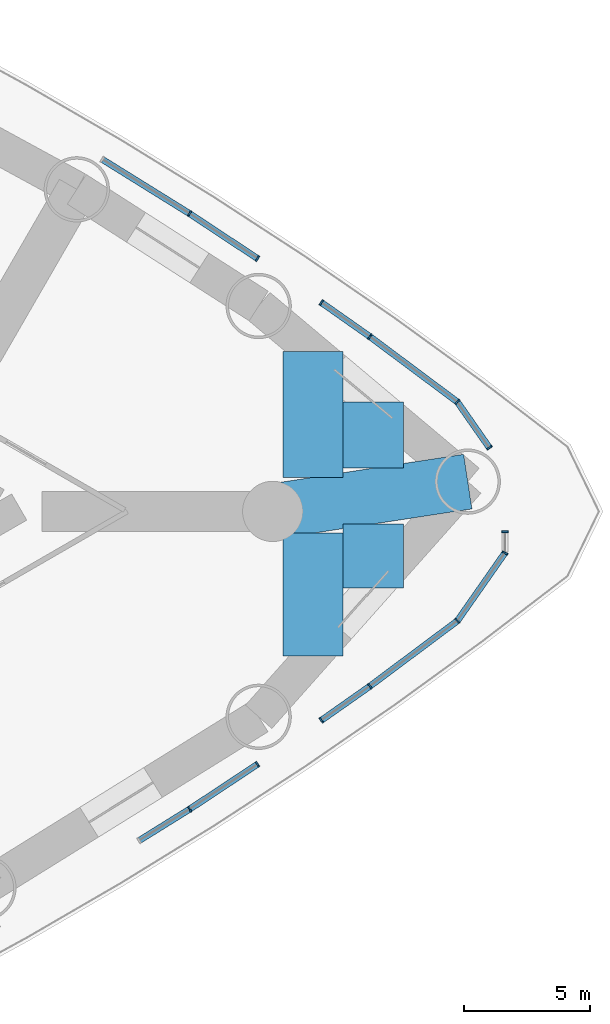
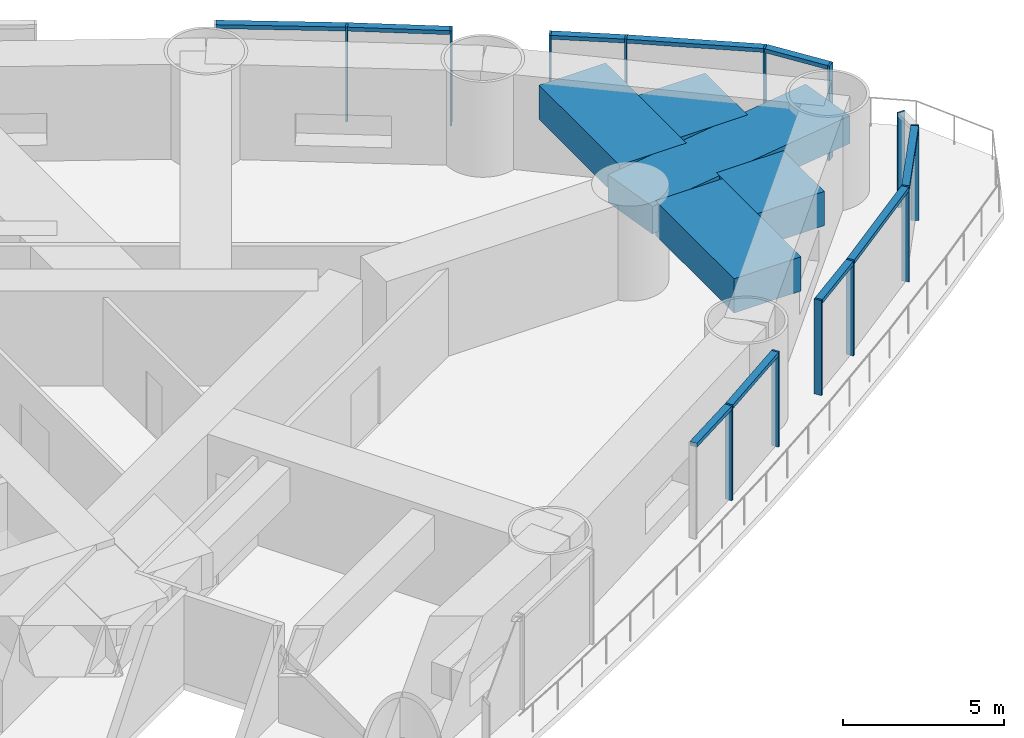
# One storey, part 7 of 19: 23 members, 5 beams, 4 elements without a shape of their own.
"""IFC4 building model written with IfcOpenShell, lengths in metres."""

from ifc_helpers import new_model, si_unit, direction, frame, origin, origin_2d, place, context, subcontext, project, spatial, rectangle, extrude, material, material_profile, profile_set, type_object, element, aggregate, save


model = new_model("IFC4")

# Units and contexts
model_context = context("Model", 3, precision=1e-05, world=origin(), true_north=direction((0.0, 1.0)))
body_context = subcontext(model_context, "Body", "Model", "MODEL_VIEW")
ifc_project = project(units=[si_unit("LENGTHUNIT", "METRE"), si_unit("AREAUNIT", "SQUARE_METRE"), si_unit("VOLUMEUNIT", "CUBIC_METRE"), si_unit("PLANEANGLEUNIT", "RADIAN"), si_unit("MASSUNIT", "GRAM", prefix="KILO")], contexts=[model_context])

# Site, building, storey
site_placement = place(None, origin())
site = spatial("IfcSite", under=ifc_project, at=site_placement, CompositionType="ELEMENT")
building_placement = place(site_placement, origin())
building = spatial("IfcBuilding", under=site, at=building_placement, Name="Lancet Gate Hotel", CompositionType="ELEMENT")
storey_placement = place(building_placement, frame((0.0, 0.0, 87.0)))
storey = spatial("IfcBuildingStorey", under=building, at=storey_placement, Name="L22", CompositionType="ELEMENT", Elevation=87.0)

# Curtain wall, members
ifc_material_1 = material(Name="Aluminium curtain wall", Category="aluminium")
curtain_wall_type = type_object("IfcCurtainWallType", Name="Tower unitised curtain wall", PredefinedType="USERDEFINED", material=ifc_material_1)
curtain_wall_1_placement = place(storey_placement, origin())
curtain_wall_1 = element("IfcCurtainWall", 1, at=curtain_wall_1_placement, inside=storey, type_object=curtain_wall_type, Name="T2 L22 curtain wall 4", ObjectType="UNITISED CURTAIN WALL", PredefinedType="USERDEFINED")
ifc_material_2 = material(Name="Aluminium mullion", Category="aluminium")
ifc_material_profile_1 = material_profile(ifc_material_2, rectangle(XDim=0.06494140625, YDim=0.25, at=origin_2d()), Name="MULLION 65x250")
ifc_profile_set_1 = profile_set([ifc_material_profile_1], Name="Aluminium mullion")
member_type_1 = type_object("IfcMemberType", Name="Aluminium mullion 65x250", PredefinedType="MULLION", material=ifc_profile_set_1)
member_1_placement = place(storey_placement, frame((58.188720703125, -11.8603515625, 0.0), z_axis=(0.0, 0.0, 1.0), x_axis=(0.84054022103, 0.541749145667, 0.0)))
member_1 = element("IfcMember", 2, at=member_1_placement, type_object=member_type_1, Name="T2 L22 curtain wall 4 mullion 2", PredefinedType="MULLION", context=body_context, shape_type="SweptSolid", body=[
    extrude(rectangle(XDim=0.06494140625, YDim=0.25, at=origin_2d()), origin(), (0.0, 0.0, 1.0), 3.60009765625),
])
member_2_placement = place(storey_placement, frame((60.89306640625, -10.071044921875, 0.0), z_axis=(0.0, 0.0, 1.0), x_axis=(0.83398495346, 0.551787184885, 0.0)))
member_2 = element("IfcMember", 3, at=member_2_placement, type_object=member_type_1, Name="T2 L22 curtain wall 4 mullion 3", PredefinedType="MULLION", context=body_context, shape_type="SweptSolid", body=[
    extrude(rectangle(XDim=0.06494140625, YDim=0.25, at=origin_2d()), origin(), (0.0, 0.0, 1.0), 3.60009765625),
])

curtain_wall_2_placement = place(storey_placement, origin())
curtain_wall_2 = element("IfcCurtainWall", 4, at=curtain_wall_2_placement, inside=storey, type_object=curtain_wall_type, Name="T2 L22 curtain wall 5", ObjectType="UNITISED CURTAIN WALL", PredefinedType="USERDEFINED")
member_3_placement = place(storey_placement, frame((63.43896484375, -8.319091796875, 0.0), z_axis=(0.0, 0.0, 1.0), x_axis=(0.817979492167, 0.57524738191, 0.0)))
member_3 = element("IfcMember", 5, at=member_3_placement, type_object=member_type_1, Name="T2 L22 curtain wall 5 mullion 1", PredefinedType="MULLION", context=body_context, shape_type="SweptSolid", body=[
    extrude(rectangle(XDim=0.06494140625, YDim=0.25, at=origin_2d()), origin(), (0.0, 0.0, 1.0), 3.60009765625),
])
member_4_placement = place(storey_placement, frame((65.370361328125, -6.9609375, 0.0), z_axis=(0.0, 0.0, 1.0), x_axis=(0.807254152431, 0.590203976082, 0.0)))
member_4 = element("IfcMember", 6, at=member_4_placement, type_object=member_type_1, Name="T2 L22 curtain wall 5 mullion 2", PredefinedType="MULLION", context=body_context, shape_type="SweptSolid", body=[
    extrude(rectangle(XDim=0.06494140625, YDim=0.25, at=origin_2d()), origin(), (0.0, 0.0, 1.0), 3.60009765625),
])
member_5_placement = place(storey_placement, frame((68.853759765625, -4.360107421875, 0.0), z_axis=(0.0, 0.0, 1.0), x_axis=(0.711610374907, 0.702574319432, 0.0)))
member_5 = element("IfcMember", 7, at=member_5_placement, type_object=member_type_1, Name="T2 L22 curtain wall 5 mullion 3", PredefinedType="MULLION", context=body_context, shape_type="SweptSolid", body=[
    extrude(rectangle(XDim=0.06494140625, YDim=0.25, at=origin_2d()), origin(), (0.0, 0.0, 1.0), 3.60009765625),
])
member_6_placement = place(storey_placement, frame((70.747314453125, -1.652099609375, 0.0), z_axis=(0.0, 0.0, 1.0), x_axis=(0.470309506881, 0.882501539793, 0.0)))
member_6 = element("IfcMember", 8, at=member_6_placement, type_object=member_type_1, Name="T2 L22 curtain wall 5 mullion 4", PredefinedType="MULLION", context=body_context, shape_type="SweptSolid", body=[
    extrude(rectangle(XDim=0.06494140625, YDim=0.25, at=origin_2d()), origin(), (0.0, 0.0, 1.0), 3.60009765625),
])
member_7_placement = place(storey_placement, frame((70.747314453125, -0.80712890625, 0.0), z_axis=(0.0, 0.0, 1.0), x_axis=(0.0, 1.0, 0.0)))
member_7 = element("IfcMember", 9, at=member_7_placement, type_object=member_type_1, Name="T2 L22 curtain wall 5 mullion 5", PredefinedType="MULLION", context=body_context, shape_type="SweptSolid", body=[
    extrude(rectangle(XDim=0.06494140625, YDim=0.25, at=origin_2d()), origin(), (0.0, 0.0, 1.0), 3.60009765625),
])

curtain_wall_3_placement = place(storey_placement, origin())
curtain_wall_3 = element("IfcCurtainWall", 10, at=curtain_wall_3_placement, inside=storey, type_object=curtain_wall_type, Name="T2 L22 curtain wall 6", ObjectType="UNITISED CURTAIN WALL", PredefinedType="USERDEFINED")
member_8_placement = place(storey_placement, frame((70.13037109375, 2.534423828125, 0.0), z_axis=(0.0, 0.0, 1.0), x_axis=(-0.573025075425, 0.819537834962, 0.0)))
member_8 = element("IfcMember", 11, at=member_8_placement, type_object=member_type_1, Name="T2 L22 curtain wall 6 mullion 1", PredefinedType="MULLION", context=body_context, shape_type="SweptSolid", body=[
    extrude(rectangle(XDim=0.06494140625, YDim=0.25, at=origin_2d()), origin(), (0.0, 0.0, 1.0), 3.60009765625),
])
member_9_placement = place(storey_placement, frame((68.853759765625, 4.360107421875, 0.0), z_axis=(0.0, 0.0, 1.0), x_axis=(-0.732307513853, 0.680974085523, 0.0)))
member_9 = element("IfcMember", 12, at=member_9_placement, type_object=member_type_1, Name="T2 L22 curtain wall 6 mullion 2", PredefinedType="MULLION", context=body_context, shape_type="SweptSolid", body=[
    extrude(rectangle(XDim=0.06494140625, YDim=0.25, at=origin_2d()), origin(), (0.0, 0.0, 1.0), 3.60009765625),
])
member_10_placement = place(storey_placement, frame((65.370361328125, 6.9609375, 0.0), z_axis=(0.0, 0.0, 1.0), x_axis=(-0.807254152431, 0.590203976082, 0.0)))
member_10 = element("IfcMember", 13, at=member_10_placement, type_object=member_type_1, Name="T2 L22 curtain wall 6 mullion 3", PredefinedType="MULLION", context=body_context, shape_type="SweptSolid", body=[
    extrude(rectangle(XDim=0.06494140625, YDim=0.25, at=origin_2d()), origin(), (0.0, 0.0, 1.0), 3.60009765625),
])
member_11_placement = place(storey_placement, frame((63.43896484375, 8.319091796875, 0.0), z_axis=(0.0, 0.0, 1.0), x_axis=(-0.817979492167, 0.57524738191, 0.0)))
member_11 = element("IfcMember", 14, at=member_11_placement, type_object=member_type_1, Name="T2 L22 curtain wall 6 mullion 4", PredefinedType="MULLION", context=body_context, shape_type="SweptSolid", body=[
    extrude(rectangle(XDim=0.06494140625, YDim=0.25, at=origin_2d()), origin(), (0.0, 0.0, 1.0), 3.60009765625),
])

curtain_wall_4_placement = place(storey_placement, origin())
curtain_wall_4 = element("IfcCurtainWall", 15, at=curtain_wall_4_placement, inside=storey, type_object=curtain_wall_type, Name="T2 L22 curtain wall 7", ObjectType="UNITISED CURTAIN WALL", PredefinedType="USERDEFINED")
member_12_placement = place(storey_placement, frame((60.89306640625, 10.071044921875, 0.0), z_axis=(0.0, 0.0, 1.0), x_axis=(-0.83398495346, 0.551787184885, 0.0)))
member_12 = element("IfcMember", 16, at=member_12_placement, type_object=member_type_1, Name="T2 L22 curtain wall 7 mullion 1", PredefinedType="MULLION", context=body_context, shape_type="SweptSolid", body=[
    extrude(rectangle(XDim=0.06494140625, YDim=0.25, at=origin_2d()), origin(), (0.0, 0.0, 1.0), 3.60009765625),
])
member_13_placement = place(storey_placement, frame((58.188720703125, 11.8603515625, 0.0), z_axis=(0.0, 0.0, 1.0), x_axis=(-0.842623043207, 0.538503859834, 0.0)))
member_13 = element("IfcMember", 17, at=member_13_placement, type_object=member_type_1, Name="T2 L22 curtain wall 7 mullion 2", PredefinedType="MULLION", context=body_context, shape_type="SweptSolid", body=[
    extrude(rectangle(XDim=0.06494140625, YDim=0.25, at=origin_2d()), origin(), (0.0, 0.0, 1.0), 3.60009765625),
])

# Member
ifc_material_3 = material(Name="Aluminium transom", Category="aluminium")
ifc_material_profile_2 = material_profile(ifc_material_3, rectangle(XDim=0.25, YDim=0.14990234375, at=origin_2d()), Name="TRANSOM 250x150")
ifc_profile_set_2 = profile_set([ifc_material_profile_2], Name="Aluminium transom")
member_type_2 = type_object("IfcMemberType", Name="Aluminium transom 250x150", PredefinedType="USERDEFINED", material=ifc_profile_set_2)
member_14_placement = place(storey_placement, frame((56.204345703125, -13.09375, 3.52490234375), z_axis=(0.849299449763, 0.527911398468, 0.0), x_axis=(-0.527911398468, 0.849299449763, 0.0)))
member_14 = element("IfcMember", 18, at=member_14_placement, type_object=member_type_2, Name="T2 L22 curtain wall 4 transom 1", ObjectType="TRANSOM", PredefinedType="USERDEFINED", context=body_context, shape_type="SweptSolid", body=[
    extrude(rectangle(XDim=0.25, YDim=0.14990234375, at=origin_2d()), origin(), (0.0, 0.0, 1.0), 2.303955078125),
])

member_15_placement = place(storey_placement, frame((58.2158203125, -11.842529296875, 3.52490234375), z_axis=(0.833983679794, 0.551789109929, 0.0), x_axis=(-0.551789109929, 0.833983679794, 0.0)))
member_15 = element("IfcMember", 19, at=member_15_placement, type_object=member_type_2, Name="T2 L22 curtain wall 4 transom 2", ObjectType="TRANSOM", PredefinedType="USERDEFINED", context=body_context, shape_type="SweptSolid", body=[
    extrude(rectangle(XDim=0.25, YDim=0.14990234375, at=origin_2d()), origin(), (0.0, 0.0, 1.0), 3.177734375),
])

aggregate(curtain_wall_1, [member_1, member_2, member_14, member_15])

member_16_placement = place(storey_placement, frame((63.465576171875, -8.30029296875, 3.52490234375), z_axis=(0.817986162576, 0.575237896729, 0.0), x_axis=(-0.575237896729, 0.817986162576, 0.0)))
member_16 = element("IfcMember", 20, at=member_16_placement, type_object=member_type_2, Name="T2 L22 curtain wall 5 transom 1", ObjectType="TRANSOM", PredefinedType="USERDEFINED", context=body_context, shape_type="SweptSolid", body=[
    extrude(rectangle(XDim=0.25, YDim=0.14990234375, at=origin_2d()), origin(), (0.0, 0.0, 1.0), 2.296142578125),
])

member_17_placement = place(storey_placement, frame((65.396240234375, -6.94140625, 3.52490234375), z_axis=(0.801311559064, 0.598247261014, 0.0), x_axis=(-0.598247261014, 0.801311559064, 0.0)))
member_17 = element("IfcMember", 21, at=member_17_placement, type_object=member_type_2, Name="T2 L22 curtain wall 5 transom 2", ObjectType="TRANSOM", PredefinedType="USERDEFINED", context=body_context, shape_type="SweptSolid", body=[
    extrude(rectangle(XDim=0.25, YDim=0.14990234375, at=origin_2d()), origin(), (0.0, 0.0, 1.0), 4.282470703125),
])

member_18_placement = place(storey_placement, frame((68.87255859375, -4.33349609375, 3.52490234375), z_axis=(0.573017137751, 0.819543384967, 0.0), x_axis=(-0.819543384967, 0.573017137751, 0.0)))
member_18 = element("IfcMember", 22, at=member_18_placement, type_object=member_type_2, Name="T2 L22 curtain wall 5 transom 3", ObjectType="TRANSOM", PredefinedType="USERDEFINED", context=body_context, shape_type="SweptSolid", body=[
    extrude(rectangle(XDim=0.25, YDim=0.14990234375, at=origin_2d()), origin(), (0.0, 0.0, 1.0), 3.2392578125),
])

aggregate(curtain_wall_2, [member_3, member_4, member_5, member_6, member_7, member_16, member_17, member_18])

member_19_placement = place(storey_placement, frame((70.11181640625, 2.56103515625, 3.52490234375), z_axis=(-0.573007682897, 0.819549995633, 0.0), x_axis=(-0.819549995633, -0.573007682897, 0.0)))
member_19 = element("IfcMember", 23, at=member_19_placement, type_object=member_type_2, Name="T2 L22 curtain wall 6 transom 1", ObjectType="TRANSOM", PredefinedType="USERDEFINED", context=body_context, shape_type="SweptSolid", body=[
    extrude(rectangle(XDim=0.25, YDim=0.14990234375, at=origin_2d()), origin(), (0.0, 0.0, 1.0), 2.162841796875),
])

member_20_placement = place(storey_placement, frame((68.827880859375, 4.37939453125, 3.52490234375), z_axis=(-0.801311559064, 0.598247261014, 0.0), x_axis=(-0.598247261014, -0.801311559064, 0.0)))
member_20 = element("IfcMember", 24, at=member_20_placement, type_object=member_type_2, Name="T2 L22 curtain wall 6 transom 2", ObjectType="TRANSOM", PredefinedType="USERDEFINED", context=body_context, shape_type="SweptSolid", body=[
    extrude(rectangle(XDim=0.25, YDim=0.14990234375, at=origin_2d()), origin(), (0.0, 0.0, 1.0), 4.282470703125),
])

member_21_placement = place(storey_placement, frame((65.34375, 6.9794921875, 3.52490234375), z_axis=(-0.817986162576, 0.575237896729, 0.0), x_axis=(-0.575237896729, -0.817986162576, 0.0)))
member_21 = element("IfcMember", 25, at=member_21_placement, type_object=member_type_2, Name="T2 L22 curtain wall 6 transom 3", ObjectType="TRANSOM", PredefinedType="USERDEFINED", context=body_context, shape_type="SweptSolid", body=[
    extrude(rectangle(XDim=0.25, YDim=0.14990234375, at=origin_2d()), origin(), (0.0, 0.0, 1.0), 2.296142578125),
])

aggregate(curtain_wall_3, [member_8, member_9, member_10, member_11, member_19, member_20, member_21])

member_22_placement = place(storey_placement, frame((60.865966796875, 10.089111328125, 3.52490234375), z_axis=(-0.833983679794, 0.551789109929, 0.0), x_axis=(-0.551789109929, -0.833983679794, 0.0)))
member_22 = element("IfcMember", 26, at=member_22_placement, type_object=member_type_2, Name="T2 L22 curtain wall 7 transom 1", ObjectType="TRANSOM", PredefinedType="USERDEFINED", context=body_context, shape_type="SweptSolid", body=[
    extrude(rectangle(XDim=0.25, YDim=0.14990234375, at=origin_2d()), origin(), (0.0, 0.0, 1.0), 3.177734375),
])

member_23_placement = place(storey_placement, frame((58.1611328125, 11.87744140625, 3.52490234375), z_axis=(-0.849310301254, 0.52789394028, 0.0), x_axis=(-0.52789394028, -0.849310301254, 0.0)))
member_23 = element("IfcMember", 27, at=member_23_placement, type_object=member_type_2, Name="T2 L22 curtain wall 7 transom 2", ObjectType="TRANSOM", PredefinedType="USERDEFINED", context=body_context, shape_type="SweptSolid", body=[
    extrude(rectangle(XDim=0.25, YDim=0.14990234375, at=origin_2d()), origin(), (0.0, 0.0, 1.0), 4.02734375),
])

aggregate(curtain_wall_4, [member_12, member_13, member_22, member_23])

# Beams
ifc_material_4 = material(Name="Concrete C50/60", Category="concrete")
ifc_material_profile_3 = material_profile(ifc_material_4, rectangle(XDim=2.39990234375, YDim=1.300048828125, at=origin_2d()), Name="RC 2400x1300")
ifc_profile_set_3 = profile_set([ifc_material_profile_3], Name="Concrete C50/60")
beam_type_1 = type_object("IfcBeamType", Name="Floor beam RC 2400x1300", PredefinedType="BEAM", material=ifc_profile_set_3)
beam_1_placement = place(storey_placement, frame((63.102294921875, -5.75, 2.699951171875), z_axis=(0.0, 1.0, 0.0), x_axis=(-1.0, 0.0, 0.0)))
element("IfcBeam", 28, at=beam_1_placement, inside=storey, type_object=beam_type_1, Name="T2 floor beam F10S L22", PredefinedType="BEAM", context=body_context, shape_type="SweptSolid", body=[
    extrude(rectangle(XDim=2.39990234375, YDim=1.300048828125, at=origin_2d()), origin(), (0.0, 0.0, 1.0), 4.8818359375),
])
beam_2_placement = place(storey_placement, frame((63.102294921875, 1.357421875, 2.699951171875), z_axis=(0.0, 1.0, 0.0), x_axis=(-1.0, 0.0, 0.0)))
element("IfcBeam", 29, at=beam_2_placement, inside=storey, type_object=beam_type_1, Name="T2 floor beam F11N L22", PredefinedType="BEAM", context=body_context, shape_type="SweptSolid", body=[
    extrude(rectangle(XDim=2.39990234375, YDim=1.300048828125, at=origin_2d()), origin(), (0.0, 0.0, 1.0), 5.00830078125),
])
beam_3_placement = place(storey_placement, frame((65.502197265625, -3.05029296875, 2.699951171875), z_axis=(0.0, 1.0, 0.0), x_axis=(-1.0, 0.0, 0.0)))
element("IfcBeam", 30, at=beam_3_placement, inside=storey, type_object=beam_type_1, Name="T2 floor beam F12S L22", PredefinedType="BEAM", context=body_context, shape_type="SweptSolid", body=[
    extrude(rectangle(XDim=2.39990234375, YDim=1.300048828125, at=origin_2d()), origin(), (0.0, 0.0, 1.0), 2.548828125),
])
beam_4_placement = place(storey_placement, frame((65.502197265625, 1.72412109375, 2.699951171875), z_axis=(0.0, 1.0, 0.0), x_axis=(-1.0, 0.0, 0.0)))
element("IfcBeam", 31, at=beam_4_placement, inside=storey, type_object=beam_type_1, Name="T2 floor beam F13N L22", PredefinedType="BEAM", context=body_context, shape_type="SweptSolid", body=[
    extrude(rectangle(XDim=2.39990234375, YDim=1.300048828125, at=origin_2d()), origin(), (0.0, 0.0, 1.0), 2.6259765625),
])
ifc_material_5 = material(Name="Concrete C50/60", Category="concrete")
ifc_material_profile_4 = material_profile(ifc_material_5, rectangle(XDim=2.199951171875, YDim=1.050048828125, at=origin_2d()), Name="RC 2200x1050")
ifc_profile_set_4 = profile_set([ifc_material_profile_4], Name="Concrete C50/60")
beam_type_2 = type_object("IfcBeamType", Name="Radial floor beam RC 2200x1050", PredefinedType="BEAM", material=ifc_profile_set_4)
beam_5_placement = place(storey_placement, frame((69.268798828125, 1.1865234375, 2.824951171875), z_axis=(-0.988537031619, -0.150978598211, 0.0), x_axis=(0.150978598211, -0.988537031619, 0.0)))
element("IfcBeam", 32, at=beam_5_placement, inside=storey, type_object=beam_type_2, Name="T2 radial beam CA L22", PredefinedType="BEAM", context=body_context, shape_type="SweptSolid", body=[
    extrude(rectangle(XDim=2.199951171875, YDim=1.050048828125, at=origin_2d()), origin(), (0.0, 0.0, 1.0), 7.85888671875),
])

save(model, "model.ifc")
